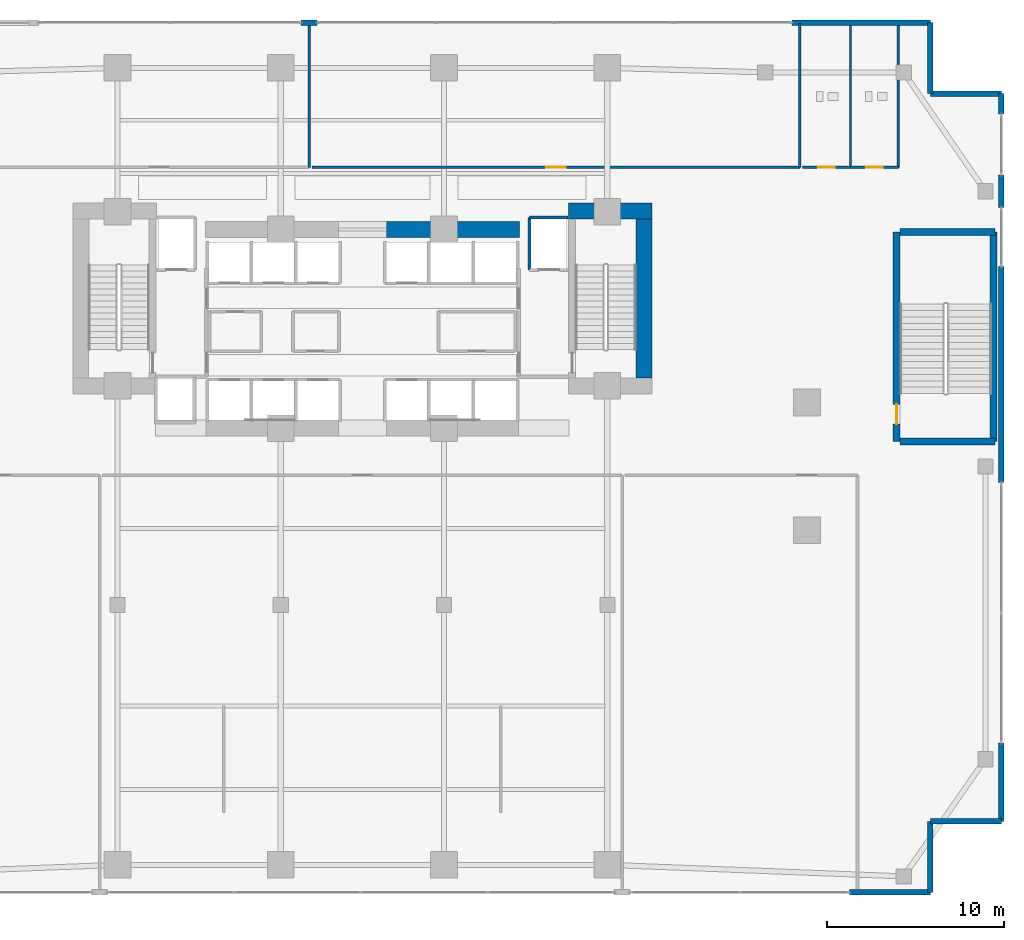
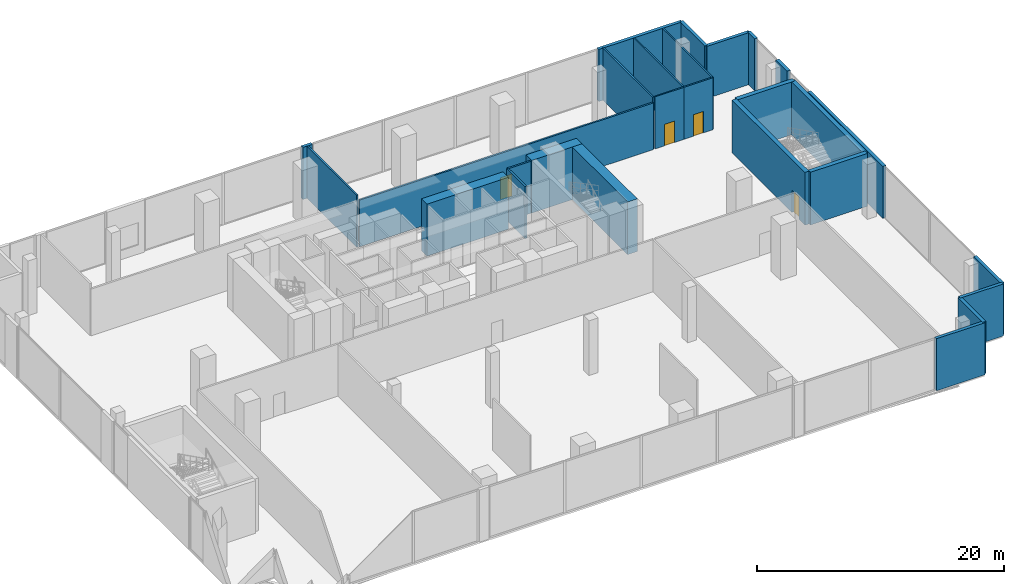
# One storey, part 25 of 30: 27 walls, 4 doors, 4 openings.
"""IFC4 building model written with IfcOpenShell, lengths in metres."""

from ifc_helpers import new_model, si_unit, direction, frame, frame_2d, origin, place, context, subcontext, project, spatial, rectangle, extrude, material, layer, layer_set, type_object, element, fill, save


model = new_model("IFC4")

# Units and contexts
model_context = context("Model", 3, precision=1e-05, world=origin(), true_north=direction((0.0, 1.0)))
body_context = subcontext(model_context, "Body", "Model", "MODEL_VIEW")
ifc_project = project(units=[si_unit("LENGTHUNIT", "METRE"), si_unit("AREAUNIT", "SQUARE_METRE"), si_unit("VOLUMEUNIT", "CUBIC_METRE"), si_unit("PLANEANGLEUNIT", "RADIAN"), si_unit("MASSUNIT", "GRAM", prefix="KILO")], contexts=[model_context])

# Site, building, storey
site_placement = place(None, origin())
site = spatial("IfcSite", under=ifc_project, at=site_placement, CompositionType="ELEMENT")
building_placement = place(site_placement, origin())
building = spatial("IfcBuilding", under=site, at=building_placement, Name="Zuhayl Quay Hotel", CompositionType="ELEMENT")
storey_placement = place(building_placement, frame((0.0, 0.0, 6.0)))
storey = spatial("IfcBuildingStorey", under=building, at=storey_placement, Name="L01", CompositionType="ELEMENT", Elevation=6.0)

# Walls
ifc_material_1 = material(Name="Concrete C70/85", Category="concrete")
ifc_layer_1 = layer(ifc_material_1, 0.89990234375, Name="Concrete C70/85", Category="concrete")
ifc_layer_set_1 = layer_set([ifc_layer_1], Name="Concrete C70/85")
wall_type_1 = type_object("IfcWallType", Name="WL_CORE_900", PredefinedType="SHEAR", material=ifc_layer_set_1)
wall_1_placement = place(storey_placement, frame((11.60009765625, 14.3798828125, 0.0), z_axis=(0.0, 0.0, 1.0), x_axis=(1.0, 0.0, 0.0)))
element("IfcWall", 1, at=wall_1_placement, inside=storey, type_object=wall_type_1, Name="L01 Core Shear Wall CW_NE", PredefinedType="SHEAR", context=body_context, shape_type="SweptSolid", body=[
    extrude(rectangle(XDim=4.7099609375, YDim=0.89990234375, at=frame_2d((2.35498046875, 0.0))), origin(), (0.0, 0.0, 1.0), 5.2099609375),
])
wall_2_placement = place(storey_placement, frame((15.860107421875, 4.969970703125, 0.0), z_axis=(0.0, 0.0, 1.0), x_axis=(0.0, 1.0, 0.0)))
element("IfcWall", 2, at=wall_2_placement, inside=storey, type_object=wall_type_1, Name="L01 Core Shear Wall CW_E", PredefinedType="SHEAR", context=body_context, shape_type="SweptSolid", body=[
    extrude(rectangle(XDim=8.9599609375, YDim=0.89990234375, at=frame_2d((4.47998046875, 0.0))), origin(), (0.0, 0.0, 1.0), 5.2099609375),
])
wall_3_placement = place(storey_placement, frame((1.25, 13.35009765625, 0.0), z_axis=(0.0, 0.0, 1.0), x_axis=(1.0, 0.0, 0.0)))
element("IfcWall", 3, at=wall_3_placement, inside=storey, type_object=wall_type_1, Name="L01 Core Shear Wall CW_NC_E", PredefinedType="SHEAR", context=body_context, shape_type="SweptSolid", body=[
    extrude(rectangle(XDim=7.60009765625, YDim=0.89990234375, at=frame_2d((3.800048828125, 0.0))), origin(), (0.0, 0.0, 1.0), 5.139892578125),
])
ifc_material_2 = material(Name="Precast concrete C45/55", Category="concrete")
ifc_layer_2 = layer(ifc_material_2, 0.300048828125, Name="Precast concrete C45/55", Category="concrete")
ifc_layer_set_2 = layer_set([ifc_layer_2], Name="Precast concrete C45/55")
wall_type_2 = type_object("IfcWallType", Name="WL_EXT_300", PredefinedType="STANDARD", material=ifc_layer_set_2)
wall_4_placement = place(storey_placement, frame((-3.449951171875, 25.0, 0.0), z_axis=(0.0, 0.0, 1.0), x_axis=(1.0, 0.0, 0.0)))
element("IfcWall", 4, at=wall_4_placement, inside=storey, type_object=wall_type_2, Name="L01 Exterior Precast Wall ENV_L01_E05_EW4", PredefinedType="STANDARD", context=body_context, shape_type="SweptSolid", body=[
    extrude(rectangle(XDim=0.89990234375, YDim=0.300048828125, at=frame_2d((0.449951171875, 0.0))), origin(), (0.0, 0.0, 1.0), 5.139892578125),
])
wall_5_placement = place(storey_placement, frame((24.199951171875, 25.0, 0.0), z_axis=(0.0, 0.0, 1.0), x_axis=(1.0, 0.0, 0.0)))
element("IfcWall", 5, at=wall_5_placement, inside=storey, type_object=wall_type_2, Name="L01 Exterior Precast Wall ENV_L01_E05_EW5", PredefinedType="STANDARD", context=body_context, shape_type="SweptSolid", body=[
    extrude(rectangle(XDim=7.800048828125, YDim=0.300048828125, at=frame_2d((3.89990234375, 0.0))), origin(), (0.0, 0.0, 1.0), 5.139892578125),
])
for number, where, z_axis, x_axis, name in (
    (6, (32.0, 25.0, 0.0), (0.0, 0.0, 1.0), (0.0, -1.0, 0.0), "L01 Exterior Precast Wall ENV_L01_EW06"),
    (7, (32.0, 21.0, 0.0), (0.0, 0.0, 1.0), (1.0, 0.0, 0.0), "L01 Exterior Precast Wall ENV_L01_EW07"),
):
    element("IfcWall", number, at=place(storey_placement, frame(where, z_axis=z_axis, x_axis=x_axis)), inside=storey, type_object=wall_type_2, Name=name, PredefinedType="STANDARD", context=body_context, shape_type="SweptSolid", body=[
        extrude(rectangle(XDim=4.0, YDim=0.300048828125, at=frame_2d((2.0, 0.0))), origin(), (0.0, 0.0, 1.0), 5.139892578125),
    ])
wall_6_placement = place(storey_placement, frame((36.0, 21.0, 0.0), z_axis=(0.0, 0.0, 1.0), x_axis=(0.0, -1.0, 0.0)))
element("IfcWall", 8, at=wall_6_placement, inside=storey, type_object=wall_type_2, Name="L01 Exterior Precast Wall ENV_L01_E08_EW1", PredefinedType="STANDARD", context=body_context, shape_type="SweptSolid", body=[
    extrude(rectangle(XDim=1.14990234375, YDim=0.300048828125, at=frame_2d((0.574951171875, 0.0))), origin(), (0.0, 0.0, 1.0), 5.139892578125),
])
wall_7_placement = place(storey_placement, frame((36.0, 16.419921875, 0.0), z_axis=(0.0, 0.0, 1.0), x_axis=(0.0, -1.0, 0.0)))
element("IfcWall", 9, at=wall_7_placement, inside=storey, type_object=wall_type_2, Name="L01 Exterior Precast Wall ENV_L01_E08_EW2", PredefinedType="STANDARD", context=body_context, shape_type="SweptSolid", body=[
    extrude(rectangle(XDim=1.83984375, YDim=0.300048828125, at=frame_2d((0.919921875, 0.0))), origin(), (0.0, 0.0, 1.0), 5.139892578125),
])
wall_8_placement = place(storey_placement, frame((36.0, 11.25, 0.0), z_axis=(0.0, 0.0, 1.0), x_axis=(0.0, -1.0, 0.0)))
element("IfcWall", 10, at=wall_8_placement, inside=storey, type_object=wall_type_2, Name="L01 Exterior Precast Wall ENV_L01_E08_EW3", PredefinedType="STANDARD", context=body_context, shape_type="SweptSolid", body=[
    extrude(rectangle(XDim=12.169921875, YDim=0.300048828125, at=frame_2d((6.0849609375, 0.0))), origin(), (0.0, 0.0, 1.0), 5.139892578125),
])
wall_9_placement = place(storey_placement, frame((36.0, -15.580078125, 0.0), z_axis=(0.0, 0.0, 1.0), x_axis=(0.0, -1.0, 0.0)))
element("IfcWall", 11, at=wall_9_placement, inside=storey, type_object=wall_type_2, Name="L01 Exterior Precast Wall ENV_L01_E08_EW4", PredefinedType="STANDARD", context=body_context, shape_type="SweptSolid", body=[
    extrude(rectangle(XDim=4.419921875, YDim=0.300048828125, at=frame_2d((2.2099609375, 0.0))), origin(), (0.0, 0.0, 1.0), 5.139892578125),
])
for number, where, z_axis, x_axis, name in (
    (12, (36.0, -20.0, 0.0), (0.0, 0.0, 1.0), (-1.0, 0.0, 0.0), "L01 Exterior Precast Wall ENV_L01_EW09"),
    (13, (32.0, -20.0, 0.0), (0.0, 0.0, 1.0), (0.0, -1.0, 0.0), "L01 Exterior Precast Wall ENV_L01_EW10"),
):
    element("IfcWall", number, at=place(storey_placement, frame(where, z_axis=z_axis, x_axis=x_axis)), inside=storey, type_object=wall_type_2, Name=name, PredefinedType="STANDARD", context=body_context, shape_type="SweptSolid", body=[
        extrude(rectangle(XDim=4.0, YDim=0.300048828125, at=frame_2d((2.0, 0.0))), origin(), (0.0, 0.0, 1.0), 5.139892578125),
    ])
wall_10_placement = place(storey_placement, frame((32.0, -24.0, 0.0), z_axis=(0.0, 0.0, 1.0), x_axis=(-1.0, 0.0, 0.0)))
element("IfcWall", 14, at=wall_10_placement, inside=storey, type_object=wall_type_2, Name="L01 Exterior Precast Wall ENV_L01_E11_EW1", PredefinedType="STANDARD", context=body_context, shape_type="SweptSolid", body=[
    extrude(rectangle(XDim=4.550048828125, YDim=0.300048828125, at=frame_2d((2.27490234375, 0.0))), origin(), (0.0, 0.0, 1.0), 5.139892578125),
])
ifc_material_3 = material(Name="Acoustic Gypsum Partition STC-58")
ifc_layer_3 = layer(ifc_material_3, 0.14990234375, Name="Acoustic Gypsum Partition STC-58")
ifc_layer_set_3 = layer_set([ifc_layer_3], Name="Acoustic Gypsum Partition STC-58")
wall_type_3 = type_object("IfcWallType", Name="WL_PART_150", PredefinedType="PARTITIONING", material=ifc_layer_set_3)
for number, where, z_axis, x_axis, name in (
    (15, (-3.0, 16.85009765625, 0.0), (0.0, 0.0, 1.0), (0.0, 1.0, 0.0), "L01 Partition IW_L01_SPEC_REST_E"),
    (16, (24.64990234375, 16.85009765625, 0.0), (0.0, 0.0, 1.0), (0.0, 1.0, 0.0), "L01 Partition IW_L01_SEA_LOUNGE_E"),
):
    element("IfcWall", number, at=place(storey_placement, frame(where, z_axis=z_axis, x_axis=x_axis)), inside=storey, type_object=wall_type_3, Name=name, PredefinedType="PARTITIONING", context=body_context, shape_type="SweptSolid", body=[
        extrude(rectangle(XDim=8.08984375, YDim=0.14990234375, at=frame_2d((4.044921875, 0.0))), origin(), (0.0, 0.0, 1.0), 5.139892578125),
    ])

# Wall, opening, door
ifc_layer_4 = layer(ifc_material_3, 0.159912109375, Name="Acoustic Gypsum Partition STC-58")
ifc_layer_set_4 = layer_set([ifc_layer_4], Name="Acoustic Gypsum Partition STC-58")
wall_type_4 = type_object("IfcWallType", Name="WL_PART_CORR_160", PredefinedType="PARTITIONING", material=ifc_layer_set_4)
wall_11_placement = place(storey_placement, frame((-2.840087890625, 16.85009765625, 0.0), z_axis=(0.0, 0.0, 1.0), x_axis=(1.0, 0.0, 0.0)))
wall_11 = element("IfcWall", 17, at=wall_11_placement, inside=storey, type_object=wall_type_4, Name="L01 Partition IW_L01_SEA_LOUNGE_S", PredefinedType="PARTITIONING", context=body_context, shape_type="SweptSolid", body=[
    extrude(rectangle(XDim=27.489990234375, YDim=0.159912109375, at=frame_2d((13.7451171875, 0.0))), origin(), (0.0, 0.0, 1.0), 4.60693359375),
])
opening_1_placement = place(wall_11_placement, frame((13.205078125, 0.0, 0.0)))
opening_1 = element("IfcOpeningElement", 18, at=opening_1_placement, cuts=wall_11, Name="Opening D05A", PredefinedType="OPENING", context=body_context, shape_type="SweptSolid", body=[
    extrude(rectangle(XDim=1.080078125, YDim=2.179931640625, at=frame_2d((0.5400390625, 1.08984375))), frame((0.0, 0.08984375, 0.0), z_axis=(0.0, -1.0, 0.0), x_axis=(1.0, 0.0, 0.0)), (0.0, 0.0, 1.0), 0.179931640625),
])
ifc_material_4 = material(Name="Solid Walnut Acoustic Fire Door")
door_type_1 = type_object("IfcDoorType", Name="DR_INT_1100", OperationType="NOTDEFINED", PredefinedType="DOOR", material=ifc_material_4)
door_1_placement = place(opening_1_placement, origin())
door_1 = element("IfcDoor", 19, at=door_1_placement, inside=storey, type_object=door_type_1, Name="L01 Gulf View Tea and Cigar Salon Door", OperationType="SINGLE_SWING_RIGHT", OverallHeight=2.179931640625, OverallWidth=1.080078125, PredefinedType="DOOR", context=body_context, shape_type="SweptSolid", body=[
    extrude(rectangle(XDim=1.080078125, YDim=2.179931640625, at=frame_2d((0.5400390625, 1.08984375))), frame((0.0, 0.02490234375, 0.0), z_axis=(0.0, -1.0, 0.0), x_axis=(1.0, 0.0, 0.0)), (0.0, 0.0, 1.0), 0.050048828125),
])
fill(opening_1, door_1)

ifc_material_5 = material(Name="Moisture-Resistant Sanitarychase Gypsum")
ifc_layer_5 = layer(ifc_material_5, 0.135009765625, Name="Moisture-Resistant Sanitarychase Gypsum")
ifc_layer_set_5 = layer_set([ifc_layer_5], Name="Moisture-Resistant Sanitarychase Gypsum")
wall_type_5 = type_object("IfcWallType", Name="WL_PART_PLUMB_150", PredefinedType="PLUMBINGWALL", material=ifc_layer_set_5)
wall_12_placement = place(storey_placement, frame((24.800048828125, 16.85009765625, 0.0), z_axis=(0.0, 0.0, 1.0), x_axis=(1.0, 0.0, 0.0)))
wall_12 = element("IfcWall", 20, at=wall_12_placement, inside=storey, type_object=wall_type_5, Name="L01 Partition IW_L01_PWC_PUB_F", PredefinedType="PLUMBINGWALL", context=body_context, shape_type="SweptSolid", body=[
    extrude(rectangle(XDim=2.699951171875, YDim=0.135009765625, at=frame_2d((1.35009765625, 0.0))), origin(), (0.0, 0.0, 1.0), 5.139892578125),
])
opening_2_placement = place(wall_12_placement, frame((0.889892578125, 0.0, 0.0)))
opening_2 = element("IfcOpeningElement", 21, at=opening_2_placement, cuts=wall_12, Name="Opening D05", PredefinedType="OPENING", context=body_context, shape_type="SweptSolid", body=[
    extrude(rectangle(XDim=0.919921875, YDim=2.1201171875, at=frame_2d((0.4599609375, 1.06005859375))), frame((0.0, 0.077392578125, 0.0), z_axis=(0.0, -1.0, 0.0), x_axis=(1.0, 0.0, 0.0)), (0.0, 0.0, 1.0), 0.155029296875),
])
door_type_2 = type_object("IfcDoorType", Name="DR_INT_950", OperationType="NOTDEFINED", PredefinedType="DOOR", material=ifc_material_4)
door_2_placement = place(opening_2_placement, origin())
door_2 = element("IfcDoor", 22, at=door_2_placement, inside=storey, type_object=door_type_2, Name="L01 Public Restroom Door", OperationType="SINGLE_SWING_RIGHT", OverallHeight=2.1201171875, OverallWidth=0.919921875, PredefinedType="DOOR", context=body_context, shape_type="SweptSolid", body=[
    extrude(rectangle(XDim=0.919921875, YDim=2.1201171875, at=frame_2d((0.4599609375, 1.06005859375))), frame((0.0, 0.02490234375, 0.0), z_axis=(0.0, -1.0, 0.0), x_axis=(1.0, 0.0, 0.0)), (0.0, 0.0, 1.0), 0.050048828125),
])
fill(opening_2, door_2)

wall_13_placement = place(storey_placement, frame((27.5, 16.85009765625, 0.0), z_axis=(0.0, 0.0, 1.0), x_axis=(1.0, 0.0, 0.0)))
wall_13 = element("IfcWall", 23, at=wall_13_placement, inside=storey, type_object=wall_type_5, Name="L01 Partition IW_L01_PWC_ACC_F", PredefinedType="PLUMBINGWALL", context=body_context, shape_type="SweptSolid", body=[
    extrude(rectangle(XDim=2.699951171875, YDim=0.135009765625, at=frame_2d((1.35009765625, 0.0))), origin(), (0.0, 0.0, 1.0), 5.139892578125),
])
opening_3_placement = place(wall_13_placement, frame((0.889892578125, 0.0, 0.0)))
opening_3 = element("IfcOpeningElement", 24, at=opening_3_placement, cuts=wall_13, Name="Opening D05", PredefinedType="OPENING", context=body_context, shape_type="SweptSolid", body=[
    extrude(rectangle(XDim=0.919921875, YDim=2.1201171875, at=frame_2d((0.4599609375, 1.06005859375))), frame((0.0, 0.077392578125, 0.0), z_axis=(0.0, -1.0, 0.0), x_axis=(1.0, 0.0, 0.0)), (0.0, 0.0, 1.0), 0.155029296875),
])
door_3_placement = place(opening_3_placement, origin())
door_3 = element("IfcDoor", 25, at=door_3_placement, inside=storey, type_object=door_type_2, Name="L01 Accessible Wheelchair WC Door", OperationType="SINGLE_SWING_LEFT", OverallHeight=2.1201171875, OverallWidth=0.919921875, PredefinedType="DOOR", context=body_context, shape_type="SweptSolid", body=[
    extrude(rectangle(XDim=0.919921875, YDim=2.1201171875, at=frame_2d((0.4599609375, 1.06005859375))), frame((0.0, 0.02490234375, 0.0), z_axis=(0.0, -1.0, 0.0), x_axis=(1.0, 0.0, 0.0)), (0.0, 0.0, 1.0), 0.050048828125),
])
fill(opening_3, door_3)

# Walls
for number, where, z_axis, x_axis, name in (
    (26, (30.199951171875, 16.85009765625, 0.0), (0.0, 0.0, 1.0), (0.0, 1.0, 0.0), "L01 Partition IW_L01_PWC_E"),
    (27, (27.5, 16.85009765625, 0.0), (0.0, 0.0, 1.0), (0.0, 1.0, 0.0), "L01 Partition IW_L01_PWC_DIV"),
):
    element("IfcWall", number, at=place(storey_placement, frame(where, z_axis=z_axis, x_axis=x_axis)), inside=storey, type_object=wall_type_5, Name=name, PredefinedType="PLUMBINGWALL", context=body_context, shape_type="SweptSolid", body=[
        extrude(rectangle(XDim=8.0, YDim=0.135009765625, at=frame_2d((4.0, 0.0))), origin(), (0.0, 0.0, 1.0), 5.139892578125),
    ])
ifc_material_6 = material(Name="Gypsum Fireboard Assembly EI-90")
ifc_layer_6 = layer(ifc_material_6, 0.1650390625, Name="Gypsum Fireboard Assembly EI-90")
ifc_layer_set_6 = layer_set([ifc_layer_6], Name="Gypsum Fireboard Assembly EI-90")
wall_type_6 = type_object("IfcWallType", Name="WL_PART_SHAFT_160", PredefinedType="PARTITIONING", material=ifc_layer_set_6)
wall_14_placement = place(storey_placement, frame((9.419921875, 11.070068359375, 0.0), z_axis=(0.0, 0.0, 1.0), x_axis=(0.0, 1.0, 0.0)))
element("IfcWall", 28, at=wall_14_placement, inside=storey, type_object=wall_type_6, Name="L01 Partition IW_L01_SH_FL2_W", PredefinedType="PARTITIONING", context=body_context, shape_type="SweptSolid", body=[
    extrude(rectangle(XDim=2.9599609375, YDim=0.1650390625, at=frame_2d((1.47998046875, 0.0))), origin(), (0.0, 0.0, 1.0), 5.139892578125),
])
wall_15_placement = place(storey_placement, frame((9.419921875, 14.030029296875, 0.0), z_axis=(0.0, 0.0, 1.0), x_axis=(1.0, 0.0, 0.0)))
element("IfcWall", 29, at=wall_15_placement, inside=storey, type_object=wall_type_6, Name="L01 Partition IW_L01_SH_FL2_B", PredefinedType="PARTITIONING", context=body_context, shape_type="SweptSolid", body=[
    extrude(rectangle(XDim=2.16015625, YDim=0.1650390625, at=frame_2d((1.080078125, 0.0))), origin(), (0.0, 0.0, 1.0), 5.139892578125),
])

# Wall, opening, door
ifc_material_7 = material(Name="Concrete C60/75", Category="concrete")
ifc_layer_7 = layer(ifc_material_7, 0.39990234375, Name="Concrete C60/75", Category="concrete")
ifc_layer_set_7 = layer_set([ifc_layer_7], Name="Concrete C60/75")
wall_type_7 = type_object("IfcWallType", Name="WL_STAIR_400", PredefinedType="SHEAR", material=ifc_layer_set_7)
wall_16_placement = place(storey_placement, frame((30.10009765625, 13.199951171875, 0.0), z_axis=(0.0, 0.0, 1.0), x_axis=(0.0, -1.0, 0.0)))
wall_16 = element("IfcWall", 30, at=wall_16_placement, inside=storey, type_object=wall_type_7, Name="L01 Podium Stair Shear Wall SW_ST4_W", PredefinedType="SHEAR", context=body_context, shape_type="SweptSolid", body=[
    extrude(rectangle(XDim=11.800048828125, YDim=0.39990234375, at=frame_2d((5.89990234375, 0.0))), origin(), (0.0, 0.0, 1.0), 5.2099609375),
])
opening_4_placement = place(wall_16_placement, frame((9.699951171875, 0.0, 0.0)))
opening_4 = element("IfcOpeningElement", 31, at=opening_4_placement, cuts=wall_16, Name="Opening D01", PredefinedType="OPENING", context=body_context, shape_type="SweptSolid", body=[
    extrude(rectangle(XDim=1.1201171875, YDim=2.219970703125, at=frame_2d((0.56005859375, 1.10986328125))), frame((0.0, 0.2099609375, 0.0), z_axis=(0.0, -1.0, 0.0), x_axis=(1.0, 0.0, 0.0)), (0.0, 0.0, 1.0), 0.419921875),
])
ifc_material_8 = material(Name="Steel ASTM A992 Grade 50", Category="steel")
door_type_3 = type_object("IfcDoorType", Name="DR_STAIR_90_1100", OperationType="NOTDEFINED", PredefinedType="DOOR", material=ifc_material_8)
door_4_placement = place(opening_4_placement, origin())
door_4 = element("IfcDoor", 32, at=door_4_placement, inside=storey, type_object=door_type_3, Name="L01 Podium Exit Stair ST4 Door", OperationType="SINGLE_SWING_LEFT", OverallHeight=2.219970703125, OverallWidth=1.1201171875, PredefinedType="DOOR", context=body_context, shape_type="SweptSolid", body=[
    extrude(rectangle(XDim=1.1201171875, YDim=2.219970703125, at=frame_2d((0.56005859375, 1.10986328125))), frame((0.0, 0.02490234375, 0.0), z_axis=(0.0, -1.0, 0.0), x_axis=(1.0, 0.0, 0.0)), (0.0, 0.0, 1.0), 0.050048828125),
])
fill(opening_4, door_4)

# Walls
for number, where, z_axis, x_axis, name in (
    (33, (30.300048828125, 1.39990234375, 0.0), (0.0, 0.0, 1.0), (1.0, 0.0, 0.0), "L01 Podium Stair Shear Wall SW_ST4_S"),
    (34, (30.300048828125, 13.199951171875, 0.0), (0.0, 0.0, 1.0), (1.0, 0.0, 0.0), "L01 Podium Stair Shear Wall SW_ST4_N"),
):
    element("IfcWall", number, at=place(storey_placement, frame(where, z_axis=z_axis, x_axis=x_axis)), inside=storey, type_object=wall_type_7, Name=name, PredefinedType="SHEAR", context=body_context, shape_type="SweptSolid", body=[
        extrude(rectangle(XDim=5.349853515625, YDim=0.39990234375, at=frame_2d((2.6748046875, 0.0))), origin(), (0.0, 0.0, 1.0), 5.2099609375),
    ])
wall_17_placement = place(storey_placement, frame((35.550048828125, 1.39990234375, 0.0), z_axis=(0.0, 0.0, 1.0), x_axis=(0.0, 1.0, 0.0)))
element("IfcWall", 35, at=wall_17_placement, inside=storey, type_object=wall_type_7, Name="L01 Podium Stair Shear Wall SW_ST4_E", PredefinedType="SHEAR", context=body_context, shape_type="SweptSolid", body=[
    extrude(rectangle(XDim=11.800048828125, YDim=0.39990234375, at=frame_2d((5.89990234375, 0.0))), origin(), (0.0, 0.0, 1.0), 5.2099609375),
])

save(model, "model.ifc")
